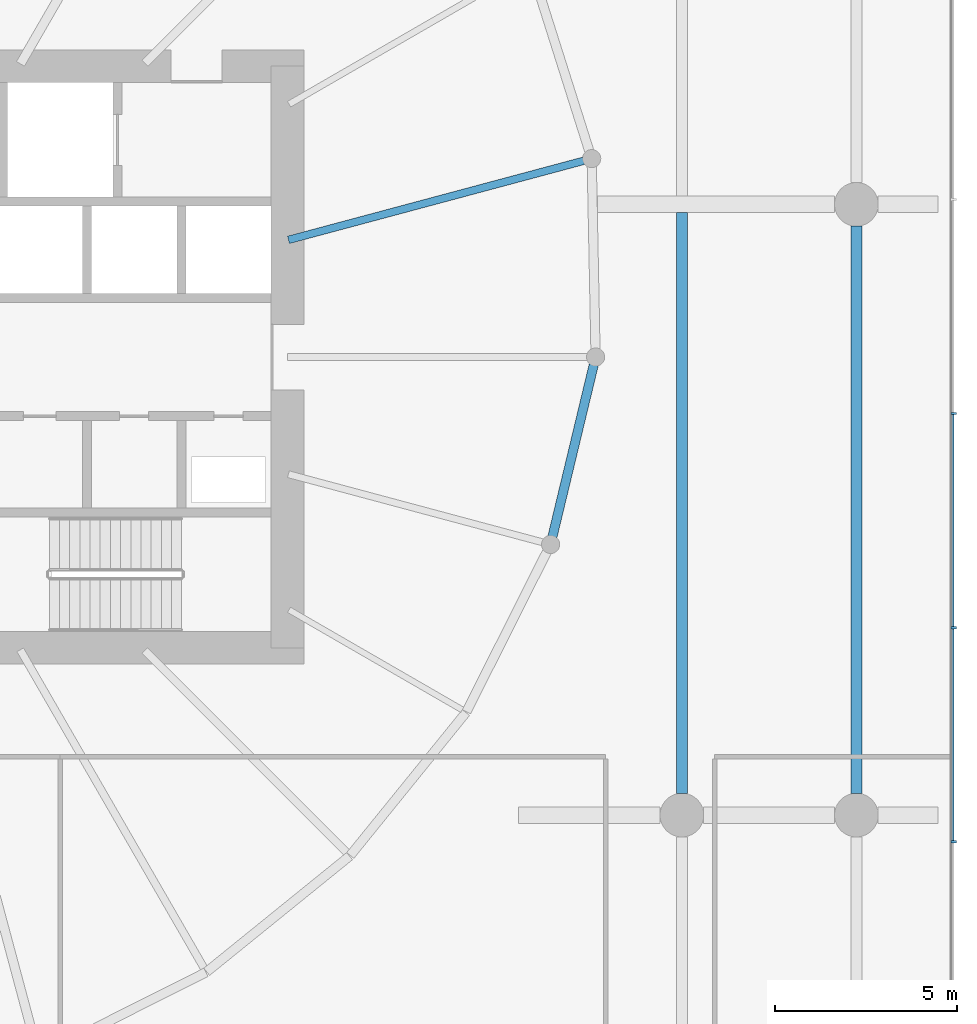
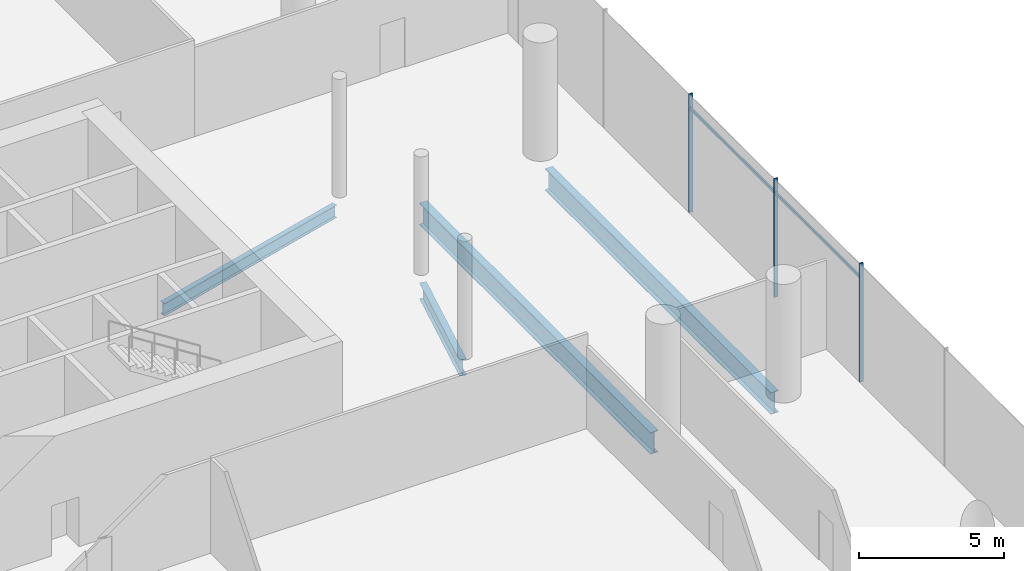
# One storey, part 19 of 51: 5 members, 4 beams, 1 element without a shape of its own.
"""IFC4 building model written with IfcOpenShell, lengths in metres."""

import ifcopenshell
import ifcopenshell.guid

model = None  # the IFC model being written
_history = None  # IfcOwnerHistory: only IFC2X3 demands one
_inside = {}  # id of a spatial element -> (the spatial element, [elements in it])
_under = {}  # id of a project, library or spatial element -> (it, [spatial elements below it])
_declared = {}  # id of a project -> (the project, [libraries it declares])
_typed = {}  # id of a type object -> (the type object, [elements of that type])
_made_of = {}  # id of a material, layer set ... -> (it, [elements and type objects made of it])


def new_model(schema):
    """Start an empty IFC model of exactly this schema.

    Asked for "IFC4X3", IfcOpenShell would pick the latest addendum, in which some entities
    have other attributes; the version numbers below select the first issue.
    IFC2X3 requires an IfcOwnerHistory on every rooted entity: one is made here for all.
    """
    global model, _history
    if schema == "IFC4X3":
        model = ifcopenshell.file(schema_version=(4, 3, 0, 0))
    else:
        model = ifcopenshell.file(schema=schema)
    _inside.clear()
    _under.clear()
    _declared.clear()
    _typed.clear()
    _made_of.clear()
    _history = None
    if model.schema == "IFC2X3":
        org = make("IfcOrganization", Name="unknown")
        user = make(
            "IfcPersonAndOrganization",
            ThePerson=make("IfcPerson", FamilyName="unknown"),
            TheOrganization=org,
        )
        app = make(
            "IfcApplication",
            ApplicationDeveloper=org,
            Version="unknown",
            ApplicationFullName="unknown",
            ApplicationIdentifier="unknown",
        )
        _history = make(
            "IfcOwnerHistory",
            OwningUser=user,
            OwningApplication=app,
            ChangeAction="ADDED",
            CreationDate=0,
        )
    return model


def make(cls, **values):
    """One entity of the class cls with the attributes given. An attribute that is None is left unset."""
    return model.create_entity(
        cls, **{name: value for name, value in values.items() if value is not None}
    )


def rooted(cls, **values):
    """An entity with a GlobalId (a new one), such as an element, a storey or a relation."""
    return make(cls, GlobalId=ifcopenshell.guid.new(), OwnerHistory=_history, **values)


def si_unit(unit_type, name, prefix=None):
    """IfcSIUnit, for example si_unit("LENGTHUNIT", "METRE", prefix="MILLI")."""
    return make("IfcSIUnit", UnitType=unit_type, Prefix=prefix, Name=name)


def assignment(units):
    """IfcUnitAssignment: the units of a project."""
    return None if units is None else make("IfcUnitAssignment", Units=units)


def point(xyz):
    """IfcCartesianPoint."""
    return None if xyz is None else make("IfcCartesianPoint", Coordinates=xyz)


def direction(xyz):
    """IfcDirection."""
    return None if xyz is None else make("IfcDirection", DirectionRatios=xyz)


def frame(location, z_axis=None, x_axis=None):
    """IfcAxis2Placement3D, a coordinate frame: its origin and axes. An axis left out is left unset."""
    return make(
        "IfcAxis2Placement3D",
        Location=point(location),
        Axis=direction(z_axis),
        RefDirection=direction(x_axis),
    )


def frame_2d(location, x_axis=None):
    """IfcAxis2Placement2D, a coordinate frame in the plane: its origin and x axis."""
    return make(
        "IfcAxis2Placement2D", Location=point(location), RefDirection=direction(x_axis)
    )


def origin():
    """The frame at (0, 0, 0) with its axes left unset."""
    return frame((0.0, 0.0, 0.0))


def origin_2d():
    """The frame at (0, 0) in the plane with its x axis left unset."""
    return frame_2d((0.0, 0.0))


def place(relative_to, where):
    """IfcLocalPlacement: puts the frame where relative to a parent placement (None: the world)."""
    return make(
        "IfcLocalPlacement", PlacementRelTo=relative_to, RelativePlacement=where
    )


def context(
    kind, dimensions, precision=None, world=None, true_north=None, identifier=None
):
    """IfcGeometricRepresentationContext, for example the 3D "Model" context."""
    return make(
        "IfcGeometricRepresentationContext",
        ContextIdentifier=identifier,
        ContextType=kind,
        CoordinateSpaceDimension=dimensions,
        Precision=precision,
        WorldCoordinateSystem=world,
        TrueNorth=true_north,
    )


def subcontext(parent, identifier, kind, view, scale=None):
    """IfcGeometricRepresentationSubContext, for example "Body" below "Model"."""
    return make(
        "IfcGeometricRepresentationSubContext",
        ContextIdentifier=identifier,
        ContextType=kind,
        ParentContext=parent,
        TargetScale=scale,
        TargetView=view,
    )


def project(units=None, contexts=None):
    """IfcProject with its units and contexts."""
    return rooted(
        "IfcProject",
        Name="project",
        RepresentationContexts=contexts,
        UnitsInContext=assignment(units),
    )


def spatial(cls, under=None, at=None, **own):
    """A site, building, storey or space (cls), placed at a placement, below another one or the project."""
    s = rooted(cls, ObjectPlacement=at, **own)
    if under is not None:
        _under.setdefault(under.id(), (under, []))[1].append(s)
    return s


def profile(cls, at=None, kind="AREA", **sizes):
    """A parametric profile (cls). Its sizes go by their IFC names, for example OverallWidth=200.0."""
    return make(cls, ProfileType=kind, Position=at, **sizes)


def rectangle(**sizes):
    """IfcRectangleProfileDef."""
    return profile("IfcRectangleProfileDef", **sizes)


def i_section(**sizes):
    """IfcIShapeProfileDef."""
    return profile("IfcIShapeProfileDef", **sizes)


def extrude(swept, where, along, depth):
    """IfcExtrudedAreaSolid: the profile swept, set in the frame where, extruded along a direction by depth."""
    return make(
        "IfcExtrudedAreaSolid",
        SweptArea=swept,
        Position=where,
        ExtrudedDirection=direction(along),
        Depth=depth,
    )


def shape(context_of_items, identifier, shape_type, items):
    """IfcShapeRepresentation: the items that make up one representation, for example the "Body"."""
    return make(
        "IfcShapeRepresentation",
        ContextOfItems=context_of_items,
        RepresentationIdentifier=identifier,
        RepresentationType=shape_type,
        Items=items,
    )


def material(Name=None, Category=None):
    """IfcMaterial."""
    return make("IfcMaterial", Name=Name, Category=Category)


def material_profile(
    of_material, cross_section, Name=None, Category=None, Priority=None
):
    """IfcMaterialProfile: a cross section and its material."""
    return make(
        "IfcMaterialProfile",
        Name=Name,
        Material=of_material,
        Profile=cross_section,
        Priority=Priority,
        Category=Category,
    )


def profile_set(profiles, Name=None, composite=None):
    """IfcMaterialProfileSet."""
    return make(
        "IfcMaterialProfileSet",
        Name=Name,
        MaterialProfiles=profiles,
        CompositeProfile=composite,
    )


def made_of(thing, what):
    """Note that an element or type object is made of a material, layer set ...; save() writes the relation."""
    if what is not None:
        _made_of.setdefault(what.id(), (what, []))[1].append(thing)
    return thing


def type_object(cls, material=None, **own):
    """A type object (cls), such as IfcWallType, which elements share."""
    return made_of(rooted(cls, **own), material)


def element(
    cls,
    number,
    at=None,
    inside=None,
    cuts=None,
    type_object=None,
    material=None,
    context=None,
    identifier="Body",
    shape_type=None,
    held_by="IfcProductDefinitionShape",
    body=None,
    shapes=None,
    **own,
):
    """One element of the class cls, such as IfcWall. Its Tag is "e" and its number.

    at: its placement. inside: the storey or other place that contains it. cuts: it is an
    opening in that element (IfcRelVoidsElement). A single representation is given by context,
    identifier, shape_type and body (its items); several are given by shapes. held_by: the class
    of the entity that holds the representations. save() writes the other relations.
    """
    e = rooted(cls, Tag="e%d" % number, ObjectPlacement=at, **own)
    if body is not None:
        shapes = [shape(context, identifier, shape_type, body)]
    if shapes is not None:
        e.Representation = make(held_by, Representations=shapes)
    if inside is not None:
        _inside.setdefault(inside.id(), (inside, []))[1].append(e)
    if cuts is not None:
        rooted(
            "IfcRelVoidsElement", RelatingBuildingElement=cuts, RelatedOpeningElement=e
        )
    if type_object is not None:
        _typed.setdefault(type_object.id(), (type_object, []))[1].append(e)
    return made_of(e, material)


def aggregate(whole, parts):
    """IfcRelAggregates: a whole, such as a stair, and the parts it consists of."""
    return rooted("IfcRelAggregates", RelatingObject=whole, RelatedObjects=parts)


def save(model, path):
    """Write the relations noted so far, then the file.

    IfcRelAggregates (storeys below a building ...), IfcRelContainedInSpatialStructure (elements
    in a storey), IfcRelDefinesByType, IfcRelAssociatesMaterial and IfcRelDeclares: one each for
    every whole, place, type object, material and project.
    """
    for whole, parts in _under.values():
        aggregate(whole, parts)
    for where, things in _inside.values():
        rooted(
            "IfcRelContainedInSpatialStructure",
            RelatedElements=things,
            RelatingStructure=where,
        )
    for kind, things in _typed.values():
        rooted("IfcRelDefinesByType", RelatedObjects=things, RelatingType=kind)
    for what, things in _made_of.values():
        rooted("IfcRelAssociatesMaterial", RelatedObjects=things, RelatingMaterial=what)
    for by, libraries in _declared.values():
        rooted("IfcRelDeclares", RelatingContext=by, RelatedDefinitions=libraries)
    model.write(path)


model = new_model("IFC4")

# Units and contexts
model_context = context("Model", 3, precision=1e-05, world=origin(), true_north=direction((0.0, 1.0)))
body_context = subcontext(model_context, "Body", "Model", "MODEL_VIEW")
ifc_project = project(units=[si_unit("LENGTHUNIT", "METRE"), si_unit("AREAUNIT", "SQUARE_METRE"), si_unit("VOLUMEUNIT", "CUBIC_METRE"), si_unit("PLANEANGLEUNIT", "RADIAN"), si_unit("MASSUNIT", "GRAM", prefix="KILO")], contexts=[model_context])

# Site, building, storey
site_placement = place(None, origin())
site = spatial("IfcSite", under=ifc_project, at=site_placement, CompositionType="ELEMENT")
building_placement = place(site_placement, origin())
building = spatial("IfcBuilding", under=site, at=building_placement, Name="Rimbun Link Towers", CompositionType="ELEMENT")
storey_placement = place(building_placement, frame((0.0, 0.0, 7.0)))
storey = spatial("IfcBuildingStorey", under=building, at=storey_placement, Name="L01", CompositionType="ELEMENT", Elevation=7.0)

# Curtain wall, members
ifc_material_1 = material(Name="Aluminium 6063-T6 and low-iron glass", Category="aluminium")
curtain_wall_type = type_object("IfcCurtainWallType", Name="CW3 podium shopfront", PredefinedType="NOTDEFINED", material=ifc_material_1)
curtain_wall_placement = place(storey_placement, origin())
curtain_wall = element("IfcCurtainWall", 1, at=curtain_wall_placement, inside=storey, type_object=curtain_wall_type, Name="CW3 L01 PD", PredefinedType="NOTDEFINED")
ifc_material_2 = material(Name="Aluminium 6063-T6", Category="aluminium")
ifc_material_profile_1 = material_profile(ifc_material_2, rectangle(XDim=0.14990234375, YDim=0.06005859375, at=origin_2d()), Name="MULLION 60X150")
ifc_profile_set_1 = profile_set([ifc_material_profile_1], Name="Aluminium 6063-T6")
member_type_1 = type_object("IfcMemberType", Name="CW3 mullion 60X150", PredefinedType="MULLION", material=ifc_profile_set_1)
member_1_placement = place(storey_placement, frame((62.074951171875, -13.333251953125, 0.0), z_axis=(0.0, 0.0, 1.0), x_axis=(1.0, 0.0, 0.0)))
member_1 = element("IfcMember", 2, at=member_1_placement, type_object=member_type_1, Name="CW3 mullion", PredefinedType="MULLION", context=body_context, shape_type="SweptSolid", body=[
    extrude(rectangle(XDim=0.14990234375, YDim=0.06005859375, at=origin_2d()), origin(), (0.0, 0.0, 1.0), 5.0),
])
member_2_placement = place(storey_placement, frame((62.074951171875, -7.4443359375, 0.0), z_axis=(0.0, 0.0, 1.0), x_axis=(1.0, 0.0, 0.0)))
member_2 = element("IfcMember", 3, at=member_2_placement, type_object=member_type_1, Name="CW3 mullion", PredefinedType="MULLION", context=body_context, shape_type="SweptSolid", body=[
    extrude(rectangle(XDim=0.14990234375, YDim=0.06005859375, at=origin_2d()), origin(), (0.0, 0.0, 1.0), 5.0),
])
member_3_placement = place(storey_placement, frame((62.074951171875, -1.5556640625, 0.0), z_axis=(0.0, 0.0, 1.0), x_axis=(1.0, 0.0, 0.0)))
member_3 = element("IfcMember", 4, at=member_3_placement, type_object=member_type_1, Name="CW3 mullion", PredefinedType="MULLION", context=body_context, shape_type="SweptSolid", body=[
    extrude(rectangle(XDim=0.14990234375, YDim=0.06005859375, at=origin_2d()), origin(), (0.0, 0.0, 1.0), 5.0),
])
ifc_material_3 = material(Name="Aluminium 6063-T6", Category="aluminium")
ifc_material_profile_2 = material_profile(ifc_material_3, rectangle(XDim=0.06005859375, YDim=0.1201171875, at=origin_2d()), Name="TRANSOM 60X120")
ifc_profile_set_2 = profile_set([ifc_material_profile_2], Name="Aluminium 6063-T6")
member_type_2 = type_object("IfcMemberType", Name="CW3 transom 60X120", PredefinedType="USERDEFINED", material=ifc_profile_set_2)
member_4_placement = place(storey_placement, frame((62.053955078125, -7.474365234375, 4.39990234375), z_axis=(0.0, -1.0, 0.0), x_axis=(1.0, 0.0, 0.0)))
member_4 = element("IfcMember", 5, at=member_4_placement, type_object=member_type_2, Name="CW3 transom", ObjectType="TRANSOM", PredefinedType="USERDEFINED", context=body_context, shape_type="SweptSolid", body=[
    extrude(rectangle(XDim=0.06005859375, YDim=0.1201171875, at=origin_2d()), origin(), (0.0, 0.0, 1.0), 5.828857421875),
])
member_5_placement = place(storey_placement, frame((62.053955078125, -1.58544921875, 4.39990234375), z_axis=(0.0, -1.0, 0.0), x_axis=(1.0, 0.0, 0.0)))
member_5 = element("IfcMember", 6, at=member_5_placement, type_object=member_type_2, Name="CW3 transom", ObjectType="TRANSOM", PredefinedType="USERDEFINED", context=body_context, shape_type="SweptSolid", body=[
    extrude(rectangle(XDim=0.06005859375, YDim=0.1201171875, at=origin_2d()), origin(), (0.0, 0.0, 1.0), 5.8291015625),
])
aggregate(curtain_wall, [member_1, member_2, member_3, member_4, member_5])

# Beams
ifc_material_4 = material(Name="Steel S355J2", Category="steel")
ifc_material_profile_3 = material_profile(ifc_material_4, i_section(OverallWidth=0.209228515625, OverallDepth=0.533203125, WebThickness=0.010009765625, FlangeThickness=0.015625, at=origin_2d()), Name="UB 533x210x92")
ifc_profile_set_3 = profile_set([ifc_material_profile_3], Name="Steel S355J2")
beam_type_1 = type_object("IfcBeamType", Name="UB 533x210x92", PredefinedType="BEAM", material=ifc_profile_set_3)
beam_1_placement = place(storey_placement, frame((43.778076171875, 3.222900390625, -0.56640625), z_axis=(0.965923668539, 0.258827097802, 0.0), x_axis=(-0.258827097802, 0.965923668539, 0.0)))
element("IfcBeam", 7, at=beam_1_placement, inside=storey, type_object=beam_type_1, Name="Radial beam T2 L01 22", PredefinedType="BEAM", context=body_context, shape_type="SweptSolid", body=[
    extrude(i_section(OverallWidth=0.209228515625, OverallDepth=0.533203125, WebThickness=0.010009765625, FlangeThickness=0.015625, at=origin_2d()), origin(), (0.0, 0.0, 1.0), 8.402587890625),
])
ifc_material_5 = material(Name="Steel S355J2", Category="steel")
ifc_material_profile_4 = material_profile(ifc_material_5, i_section(OverallWidth=0.253662109375, OverallDepth=0.68359375, WebThickness=0.012451171875, FlangeThickness=0.01904296875, at=origin_2d()), Name="UB 686x254x140")
ifc_profile_set_4 = profile_set([ifc_material_profile_4], Name="Steel S355J2")
beam_type_2 = type_object("IfcBeamType", Name="UB 686x254x140", PredefinedType="BEAM", material=ifc_profile_set_4)
beam_2_placement = place(storey_placement, frame((51.039794921875, -4.9404296875, -0.641845703125), z_axis=(0.23356672239, 0.972340776781, 0.0), x_axis=(-0.972340776781, 0.23356672239, 0.0)))
element("IfcBeam", 8, at=beam_2_placement, inside=storey, type_object=beam_type_2, Name="Edge beam T2 L01 20", PredefinedType="BEAM", context=body_context, shape_type="SweptSolid", body=[
    extrude(i_section(OverallWidth=0.253662109375, OverallDepth=0.68359375, WebThickness=0.012451171875, FlangeThickness=0.01904296875, at=origin_2d()), origin(), (0.0, 0.0, 1.0), 4.860595703125),
])
ifc_material_6 = material(Name="Steel S355J2", Category="steel")
ifc_material_profile_5 = material_profile(ifc_material_6, i_section(OverallWidth=0.305419921875, OverallDepth=0.91845703125, WebThickness=0.017333984375, FlangeThickness=0.02783203125, at=origin_2d()), Name="UB 914x305x253")
ifc_profile_set_5 = profile_set([ifc_material_profile_5], Name="Steel S355J2")
beam_type_3 = type_object("IfcBeamType", Name="UB 914x305x253", PredefinedType="BEAM", material=ifc_profile_set_5)
beam_3_placement = place(storey_placement, frame((54.60009765625, -12.0, -0.75927734375), z_axis=(0.0, 1.0, 0.0), x_axis=(-1.0, 0.0, 0.0)))
element("IfcBeam", 9, at=beam_3_placement, inside=storey, type_object=beam_type_3, Name="Grid beam L01 +54.6", PredefinedType="BEAM", context=body_context, shape_type="SweptSolid", body=[
    extrude(i_section(OverallWidth=0.305419921875, OverallDepth=0.91845703125, WebThickness=0.017333984375, FlangeThickness=0.02783203125, at=origin_2d()), origin(), (0.0, 0.0, 1.0), 15.97509765625),
])
beam_4_placement = place(storey_placement, frame((59.39990234375, -12.0, -0.75927734375), z_axis=(0.0, 1.0, 0.0), x_axis=(-1.0, 0.0, 0.0)))
element("IfcBeam", 10, at=beam_4_placement, inside=storey, type_object=beam_type_3, Name="Grid beam L01 +59.4", PredefinedType="BEAM", context=body_context, shape_type="SweptSolid", body=[
    extrude(i_section(OverallWidth=0.305419921875, OverallDepth=0.91845703125, WebThickness=0.017333984375, FlangeThickness=0.02783203125, at=origin_2d()), origin(), (0.0, 0.0, 1.0), 15.60009765625),
])

save(model, "model.ifc")
